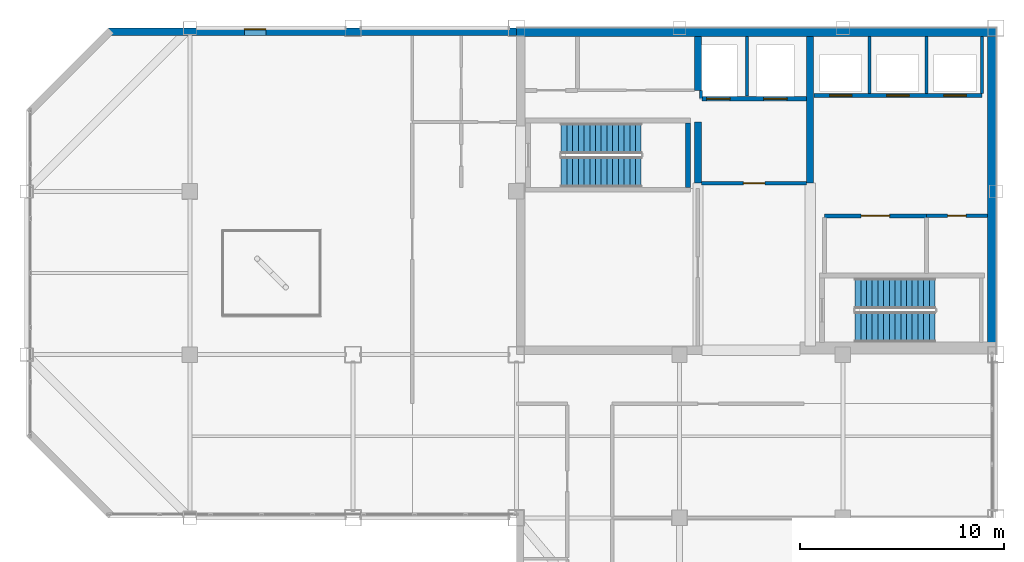
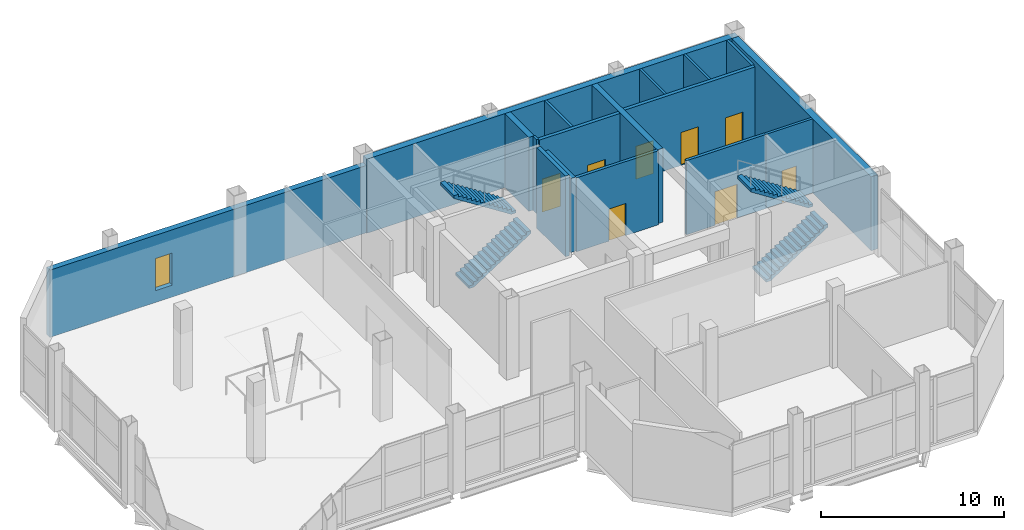
# One storey, part 13 of 16: 17 walls, 8 doors, 4 stair flights, 1 window, 9 openings, 2 elements without a shape of their own.
"""IFC4 building model written with IfcOpenShell, lengths in metres."""

import ifcopenshell
import ifcopenshell.guid

model = None  # the IFC model being written
_history = None  # IfcOwnerHistory: only IFC2X3 demands one
_inside = {}  # id of a spatial element -> (the spatial element, [elements in it])
_under = {}  # id of a project, library or spatial element -> (it, [spatial elements below it])
_declared = {}  # id of a project -> (the project, [libraries it declares])
_typed = {}  # id of a type object -> (the type object, [elements of that type])
_made_of = {}  # id of a material, layer set ... -> (it, [elements and type objects made of it])


def new_model(schema):
    """Start an empty IFC model of exactly this schema.

    Asked for "IFC4X3", IfcOpenShell would pick the latest addendum, in which some entities
    have other attributes; the version numbers below select the first issue.
    IFC2X3 requires an IfcOwnerHistory on every rooted entity: one is made here for all.
    """
    global model, _history
    if schema == "IFC4X3":
        model = ifcopenshell.file(schema_version=(4, 3, 0, 0))
    else:
        model = ifcopenshell.file(schema=schema)
    _inside.clear()
    _under.clear()
    _declared.clear()
    _typed.clear()
    _made_of.clear()
    _history = None
    if model.schema == "IFC2X3":
        org = make("IfcOrganization", Name="unknown")
        user = make(
            "IfcPersonAndOrganization",
            ThePerson=make("IfcPerson", FamilyName="unknown"),
            TheOrganization=org,
        )
        app = make(
            "IfcApplication",
            ApplicationDeveloper=org,
            Version="unknown",
            ApplicationFullName="unknown",
            ApplicationIdentifier="unknown",
        )
        _history = make(
            "IfcOwnerHistory",
            OwningUser=user,
            OwningApplication=app,
            ChangeAction="ADDED",
            CreationDate=0,
        )
    return model


def make(cls, **values):
    """One entity of the class cls with the attributes given. An attribute that is None is left unset."""
    return model.create_entity(
        cls, **{name: value for name, value in values.items() if value is not None}
    )


def rooted(cls, **values):
    """An entity with a GlobalId (a new one), such as an element, a storey or a relation."""
    return make(cls, GlobalId=ifcopenshell.guid.new(), OwnerHistory=_history, **values)


def si_unit(unit_type, name, prefix=None):
    """IfcSIUnit, for example si_unit("LENGTHUNIT", "METRE", prefix="MILLI")."""
    return make("IfcSIUnit", UnitType=unit_type, Prefix=prefix, Name=name)


def assignment(units):
    """IfcUnitAssignment: the units of a project."""
    return None if units is None else make("IfcUnitAssignment", Units=units)


def point(xyz):
    """IfcCartesianPoint."""
    return None if xyz is None else make("IfcCartesianPoint", Coordinates=xyz)


def direction(xyz):
    """IfcDirection."""
    return None if xyz is None else make("IfcDirection", DirectionRatios=xyz)


def frame(location, z_axis=None, x_axis=None):
    """IfcAxis2Placement3D, a coordinate frame: its origin and axes. An axis left out is left unset."""
    return make(
        "IfcAxis2Placement3D",
        Location=point(location),
        Axis=direction(z_axis),
        RefDirection=direction(x_axis),
    )


def frame_2d(location, x_axis=None):
    """IfcAxis2Placement2D, a coordinate frame in the plane: its origin and x axis."""
    return make(
        "IfcAxis2Placement2D", Location=point(location), RefDirection=direction(x_axis)
    )


def origin():
    """The frame at (0, 0, 0) with its axes left unset."""
    return frame((0.0, 0.0, 0.0))


def place(relative_to, where):
    """IfcLocalPlacement: puts the frame where relative to a parent placement (None: the world)."""
    return make(
        "IfcLocalPlacement", PlacementRelTo=relative_to, RelativePlacement=where
    )


def context(
    kind, dimensions, precision=None, world=None, true_north=None, identifier=None
):
    """IfcGeometricRepresentationContext, for example the 3D "Model" context."""
    return make(
        "IfcGeometricRepresentationContext",
        ContextIdentifier=identifier,
        ContextType=kind,
        CoordinateSpaceDimension=dimensions,
        Precision=precision,
        WorldCoordinateSystem=world,
        TrueNorth=true_north,
    )


def subcontext(parent, identifier, kind, view, scale=None):
    """IfcGeometricRepresentationSubContext, for example "Body" below "Model"."""
    return make(
        "IfcGeometricRepresentationSubContext",
        ContextIdentifier=identifier,
        ContextType=kind,
        ParentContext=parent,
        TargetScale=scale,
        TargetView=view,
    )


def project(units=None, contexts=None):
    """IfcProject with its units and contexts."""
    return rooted(
        "IfcProject",
        Name="project",
        RepresentationContexts=contexts,
        UnitsInContext=assignment(units),
    )


def spatial(cls, under=None, at=None, **own):
    """A site, building, storey or space (cls), placed at a placement, below another one or the project."""
    s = rooted(cls, ObjectPlacement=at, **own)
    if under is not None:
        _under.setdefault(under.id(), (under, []))[1].append(s)
    return s


def polyline(points):
    """IfcPolyline through the points."""
    return make("IfcPolyline", Points=[point(p) for p in points])


def profile(cls, at=None, kind="AREA", **sizes):
    """A parametric profile (cls). Its sizes go by their IFC names, for example OverallWidth=200.0."""
    return make(cls, ProfileType=kind, Position=at, **sizes)


def rectangle(**sizes):
    """IfcRectangleProfileDef."""
    return profile("IfcRectangleProfileDef", **sizes)


def outline(outer, holes=None, kind="AREA"):
    """IfcArbitraryClosedProfileDef: a profile drawn as a closed curve; with holes, ...WithVoids."""
    if holes is None:
        return make("IfcArbitraryClosedProfileDef", ProfileType=kind, OuterCurve=outer)
    return make(
        "IfcArbitraryProfileDefWithVoids",
        ProfileType=kind,
        OuterCurve=outer,
        InnerCurves=holes,
    )


def extrude(swept, where, along, depth):
    """IfcExtrudedAreaSolid: the profile swept, set in the frame where, extruded along a direction by depth."""
    return make(
        "IfcExtrudedAreaSolid",
        SweptArea=swept,
        Position=where,
        ExtrudedDirection=direction(along),
        Depth=depth,
    )


def shape(context_of_items, identifier, shape_type, items):
    """IfcShapeRepresentation: the items that make up one representation, for example the "Body"."""
    return make(
        "IfcShapeRepresentation",
        ContextOfItems=context_of_items,
        RepresentationIdentifier=identifier,
        RepresentationType=shape_type,
        Items=items,
    )


def material(Name=None, Category=None):
    """IfcMaterial."""
    return make("IfcMaterial", Name=Name, Category=Category)


def layer(
    of_material, thickness, ventilated=None, Name=None, Category=None, Priority=None
):
    """IfcMaterialLayer: one layer of a wall or slab, of a material (None: an air gap)."""
    return make(
        "IfcMaterialLayer",
        Material=of_material,
        LayerThickness=thickness,
        IsVentilated=ventilated,
        Name=Name,
        Category=Category,
        Priority=Priority,
    )


def layer_set(layers, Name=None):
    """IfcMaterialLayerSet."""
    return make("IfcMaterialLayerSet", MaterialLayers=layers, LayerSetName=Name)


def made_of(thing, what):
    """Note that an element or type object is made of a material, layer set ...; save() writes the relation."""
    if what is not None:
        _made_of.setdefault(what.id(), (what, []))[1].append(thing)
    return thing


def type_object(cls, material=None, **own):
    """A type object (cls), such as IfcWallType, which elements share."""
    return made_of(rooted(cls, **own), material)


def element(
    cls,
    number,
    at=None,
    inside=None,
    cuts=None,
    type_object=None,
    material=None,
    context=None,
    identifier="Body",
    shape_type=None,
    held_by="IfcProductDefinitionShape",
    body=None,
    shapes=None,
    **own,
):
    """One element of the class cls, such as IfcWall. Its Tag is "e" and its number.

    at: its placement. inside: the storey or other place that contains it. cuts: it is an
    opening in that element (IfcRelVoidsElement). A single representation is given by context,
    identifier, shape_type and body (its items); several are given by shapes. held_by: the class
    of the entity that holds the representations. save() writes the other relations.
    """
    e = rooted(cls, Tag="e%d" % number, ObjectPlacement=at, **own)
    if body is not None:
        shapes = [shape(context, identifier, shape_type, body)]
    if shapes is not None:
        e.Representation = make(held_by, Representations=shapes)
    if inside is not None:
        _inside.setdefault(inside.id(), (inside, []))[1].append(e)
    if cuts is not None:
        rooted(
            "IfcRelVoidsElement", RelatingBuildingElement=cuts, RelatedOpeningElement=e
        )
    if type_object is not None:
        _typed.setdefault(type_object.id(), (type_object, []))[1].append(e)
    return made_of(e, material)


def fill(opening, filler):
    """IfcRelFillsElement: the door or window that sits in an opening."""
    return rooted(
        "IfcRelFillsElement",
        RelatingOpeningElement=opening,
        RelatedBuildingElement=filler,
    )


def aggregate(whole, parts):
    """IfcRelAggregates: a whole, such as a stair, and the parts it consists of."""
    return rooted("IfcRelAggregates", RelatingObject=whole, RelatedObjects=parts)


def save(model, path):
    """Write the relations noted so far, then the file.

    IfcRelAggregates (storeys below a building ...), IfcRelContainedInSpatialStructure (elements
    in a storey), IfcRelDefinesByType, IfcRelAssociatesMaterial and IfcRelDeclares: one each for
    every whole, place, type object, material and project.
    """
    for whole, parts in _under.values():
        aggregate(whole, parts)
    for where, things in _inside.values():
        rooted(
            "IfcRelContainedInSpatialStructure",
            RelatedElements=things,
            RelatingStructure=where,
        )
    for kind, things in _typed.values():
        rooted("IfcRelDefinesByType", RelatedObjects=things, RelatingType=kind)
    for what, things in _made_of.values():
        rooted("IfcRelAssociatesMaterial", RelatedObjects=things, RelatingMaterial=what)
    for by, libraries in _declared.values():
        rooted("IfcRelDeclares", RelatingContext=by, RelatedDefinitions=libraries)
    model.write(path)


model = new_model("IFC4")

# Units and contexts
model_context = context("Model", 3, precision=1e-05, world=origin(), true_north=direction((0.0, 1.0)))
body_context = subcontext(model_context, "Body", "Model", "MODEL_VIEW")
ifc_project = project(units=[si_unit("LENGTHUNIT", "METRE"), si_unit("AREAUNIT", "SQUARE_METRE"), si_unit("VOLUMEUNIT", "CUBIC_METRE"), si_unit("PLANEANGLEUNIT", "RADIAN"), si_unit("MASSUNIT", "GRAM", prefix="KILO")], contexts=[model_context])

# Site, building, storey
site_placement = place(None, origin())
site = spatial("IfcSite", under=ifc_project, at=site_placement, CompositionType="ELEMENT")
building_placement = place(site_placement, origin())
building = spatial("IfcBuilding", under=site, at=building_placement, Name="Qianrong Seaharbour Tower", CompositionType="ELEMENT")
storey_placement = place(building_placement, frame((0.0, 0.0, 378.39990234375)))
storey = spatial("IfcBuildingStorey", under=building, at=storey_placement, Name="L91", CompositionType="ELEMENT", Elevation=378.39990234375)

# Walls
ifc_material_1 = material(Name="Concrete C50/60", Category="concrete")
ifc_layer_1 = layer(ifc_material_1, 0.419921875)
ifc_layer_set_1 = layer_set([ifc_layer_1], Name="Concrete C50/60")
wall_type_1 = type_object("IfcWallType", Name="WALL-CORE-420", PredefinedType="SHEAR", material=ifc_layer_set_1)
wall_1_placement = place(storey_placement, frame((40.5, 51.7900390625, 0.0), z_axis=(0.0, 0.0, 1.0), x_axis=(1.0, 0.0, 0.0)))
element("IfcWall", 1, at=wall_1_placement, inside=storey, type_object=wall_type_1, Name="L91 North Core Shear Wall", PredefinedType="SHEAR", context=body_context, shape_type="SweptSolid", body=[
    extrude(rectangle(XDim=23.5, YDim=0.419921875, at=frame_2d((11.75, 0.0))), origin(), (0.0, 0.0, 1.0), 4.9501953125),
])
wall_2_placement = place(storey_placement, frame((63.7900390625, 36.320068359375, 0.0), z_axis=(0.0, 0.0, 1.0), x_axis=(0.0, 1.0, 0.0)))
element("IfcWall", 2, at=wall_2_placement, inside=storey, type_object=wall_type_1, Name="L91 East Core Shear Wall", PredefinedType="SHEAR", context=body_context, shape_type="SweptSolid", body=[
    extrude(rectangle(XDim=15.260009765625, YDim=0.419921875, at=frame_2d((7.6298828125, 0.0))), origin(), (0.0, 0.0, 1.0), 4.9501953125),
])
ifc_layer_2 = layer(ifc_material_1, 0.35009765625)
ifc_layer_set_2 = layer_set([ifc_layer_2], Name="Concrete C50/60")
wall_type_2 = type_object("IfcWallType", Name="WALL-CORE-INT-350", PredefinedType="SHEAR", material=ifc_layer_set_2)
wall_3_placement = place(storey_placement, frame((49.39990234375, 44.39990234375, 0.0), z_axis=(0.0, 0.0, 1.0), x_axis=(0.0, 1.0, 0.0)))
element("IfcWall", 3, at=wall_3_placement, inside=storey, type_object=wall_type_2, Name="L91 Internal Core Shear Wall IW1N1", PredefinedType="SHEAR", context=body_context, shape_type="SweptSolid", body=[
    extrude(rectangle(XDim=3.0, YDim=0.35009765625, at=frame_2d((1.5, 0.0))), origin(), (0.0, 0.0, 1.0), 4.9501953125),
])
wall_4_placement = place(storey_placement, frame((49.39990234375, 48.949951171875, 0.0), z_axis=(0.0, 0.0, 1.0), x_axis=(0.0, 1.0, 0.0)))
element("IfcWall", 4, at=wall_4_placement, inside=storey, type_object=wall_type_2, Name="L91 Internal Core Shear Wall IW1N2", PredefinedType="SHEAR", context=body_context, shape_type="SweptSolid", body=[
    extrude(rectangle(XDim=2.630126953125, YDim=0.35009765625, at=frame_2d((1.31494140625, 0.0))), origin(), (0.0, 0.0, 1.0), 4.9501953125),
])
wall_5_placement = place(storey_placement, frame((54.89990234375, 44.39990234375, 0.0), z_axis=(0.0, 0.0, 1.0), x_axis=(0.0, 1.0, 0.0)))
element("IfcWall", 5, at=wall_5_placement, inside=storey, type_object=wall_type_2, Name="L91 Internal Core Shear Wall IW2N", PredefinedType="SHEAR", context=body_context, shape_type="SweptSolid", body=[
    extrude(rectangle(XDim=7.18017578125, YDim=0.35009765625, at=frame_2d((3.590087890625, 0.0))), origin(), (0.0, 0.0, 1.0), 4.9501953125),
])

# Wall, opening, door
ifc_material_2 = material(Name="Fire-rated acoustic gypsum board partition")
ifc_layer_3 = layer(ifc_material_2, 0.1650390625)
ifc_layer_set_3 = layer_set([ifc_layer_3], Name="Fire-rated acoustic gypsum board partition")
wall_type_3 = type_object("IfcWallType", Name="WALL-CORR-PART-165", PredefinedType="PARTITIONING", material=ifc_layer_set_3)
wall_6_placement = place(storey_placement, frame((63.580078125, 42.800048828125, 0.0), z_axis=(0.0, 0.0, 1.0), x_axis=(-1.0, 0.0, 0.0)))
wall_6 = element("IfcWall", 6, at=wall_6_placement, inside=storey, type_object=wall_type_3, Name="L91 Interior Partition Wall 012", PredefinedType="PARTITIONING", context=body_context, shape_type="SweptSolid", body=[
    extrude(rectangle(XDim=2.97998046875, YDim=0.1650390625, at=frame_2d((1.489990234375, 0.0))), origin(), (0.0, 0.0, 1.0), 4.9501953125),
])
opening_1_placement = place(wall_6_placement, frame((1.0400390625, 0.0, 0.0)))
opening_1 = element("IfcOpeningElement", 7, at=opening_1_placement, cuts=wall_6, Name="Opening DS-01", PredefinedType="OPENING", context=body_context, shape_type="SweptSolid", body=[
    extrude(rectangle(XDim=0.89990234375, YDim=2.14990234375, at=frame_2d((0.449951171875, 1.074951171875))), frame((0.0, 0.092529296875, 0.0), z_axis=(0.0, -1.0, 0.0), x_axis=(1.0, 0.0, 0.0)), (0.0, 0.0, 1.0), 0.18505859375),
])
ifc_material_3 = material(Name="Acoustic timber and galvanized steel fire door assembly", Category="steel")
door_type_1 = type_object("IfcDoorType", Name="DOOR-STORE-900x2150", OperationType="NOTDEFINED", PredefinedType="DOOR", material=ifc_material_3)
door_1_placement = place(opening_1_placement, origin())
door_1 = element("IfcDoor", 8, at=door_1_placement, inside=storey, type_object=door_type_1, Name="L91 Housekeeping Linen Store Door", OperationType="SINGLE_SWING_LEFT", OverallHeight=2.14990234375, OverallWidth=0.89990234375, PredefinedType="DOOR", context=body_context, shape_type="SweptSolid", body=[
    extrude(rectangle(XDim=0.89990234375, YDim=2.14990234375, at=frame_2d((0.449951171875, 1.074951171875))), frame((0.0, 0.02490234375, 0.0), z_axis=(0.0, -1.0, 0.0), x_axis=(1.0, 0.0, 0.0)), (0.0, 0.0, 1.0), 0.050048828125),
])
fill(opening_1, door_1)

# Wall, opening, window
ifc_material_4 = material(Name="Unitised red brick on Precast concrete C45/55", Category="masonry")
ifc_layer_4 = layer(ifc_material_4, 0.360107421875)
ifc_layer_set_4 = layer_set([ifc_layer_4], Name="Unitised red brick on Precast concrete C45/55")
wall_type_4 = type_object("IfcWallType", Name="WALL-EXT-BRICK-RED-360", PredefinedType="SOLIDWALL", material=ifc_layer_set_4)
wall_7_placement = place(storey_placement, frame((20.5, 51.820068359375, 0.0), z_axis=(0.0, 0.0, 1.0), x_axis=(1.0, 0.0, 0.0)))
wall_7 = element("IfcWall", 9, at=wall_7_placement, inside=storey, type_object=wall_type_4, Name="L91 Exterior Masonry Facade Wall NORTH_WING", PredefinedType="SOLIDWALL", context=body_context, shape_type="SweptSolid", body=[
    extrude(rectangle(XDim=20.02001953125, YDim=0.360107421875, at=frame_2d((10.010009765625, 0.0))), origin(), (0.0, 0.0, 1.0), 4.5),
])
opening_2_placement = place(wall_7_placement, frame((6.675048828125, 0.0, 0.800048828125)))
opening_2 = element("IfcOpeningElement", 10, at=opening_2_placement, cuts=wall_7, Name="Opening WN-14", PredefinedType="OPENING", context=body_context, shape_type="SweptSolid", body=[
    extrude(rectangle(XDim=1.050048828125, YDim=2.14990234375, at=frame_2d((0.52490234375, 1.074951171875))), frame((0.0, 0.18994140625, 0.0), z_axis=(0.0, -1.0, 0.0), x_axis=(1.0, 0.0, 0.0)), (0.0, 0.0, 1.0), 0.380126953125),
])
ifc_material_5 = material(Name="Insulated low-e double glazing in thermally broken aluminium 6063-T6 frame", Category="aluminium")
window_type = type_object("IfcWindowType", Name="WIN-NARROW-1050x2150", PartitioningType="SINGLE_PANEL", PredefinedType="WINDOW", material=ifc_material_5)
window_placement = place(opening_2_placement, origin())
window = element("IfcWindow", 11, at=window_placement, inside=storey, type_object=window_type, Name="L91 Deep-Set Punched Window 05.02", OverallHeight=2.14990234375, OverallWidth=1.050048828125, PartitioningType="SINGLE_PANEL", PredefinedType="WINDOW", context=body_context, shape_type="SweptSolid", body=[
    extrude(rectangle(XDim=1.050048828125, YDim=2.14990234375, at=frame_2d((0.52490234375, 1.074951171875))), frame((0.0, 0.150146484375, 0.0), z_axis=(0.0, -1.0, 0.0), x_axis=(1.0, 0.0, 0.0)), (0.0, 0.0, 1.0), 0.06005859375),
])
fill(opening_2, window)

# Wall, opening, door
ifc_material_6 = material(Name="Double fire-rated gypsum board acoustic partition")
ifc_layer_5 = layer(ifc_material_6, 0.18994140625)
ifc_layer_set_5 = layer_set([ifc_layer_5], Name="Double fire-rated gypsum board acoustic partition")
wall_type_5 = type_object("IfcWallType", Name="WALL-FIRE-PART-190", PredefinedType="PARTITIONING", material=ifc_layer_set_5)
wall_8_placement = place(storey_placement, frame((54.73291015625, 44.39990234375, 0.0), z_axis=(0.0, 0.0, 1.0), x_axis=(-1.0, 0.0, 0.0)))
wall_8 = element("IfcWall", 12, at=wall_8_placement, inside=storey, type_object=wall_type_5, Name="L91 Interior Partition Wall 008", PredefinedType="PARTITIONING", context=body_context, shape_type="SweptSolid", body=[
    extrude(rectangle(XDim=5.166015625, YDim=0.18994140625, at=frame_2d((2.5830078125, 0.0))), origin(), (0.0, 0.0, 1.0), 4.9501953125),
])
opening_3_placement = place(wall_8_placement, frame((2.05810546875, 0.0, 0.0)))
opening_3 = element("IfcOpeningElement", 13, at=opening_3_placement, cuts=wall_8, Name="Opening DC-01", PredefinedType="OPENING", context=body_context, shape_type="SweptSolid", body=[
    extrude(rectangle(XDim=1.050048828125, YDim=2.14990234375, at=frame_2d((0.52490234375, 1.074951171875))), frame((0.0, 0.10498046875, 0.0), z_axis=(0.0, -1.0, 0.0), x_axis=(1.0, 0.0, 0.0)), (0.0, 0.0, 1.0), 0.2099609375),
])
door_type_2 = type_object("IfcDoorType", Name="DOOR-CORR-FD60-1050x2150", OperationType="NOTDEFINED", PredefinedType="DOOR", material=ifc_material_3)
door_2_placement = place(opening_3_placement, origin())
door_2 = element("IfcDoor", 14, at=door_2_placement, inside=storey, type_object=door_type_2, Name="L91 Firefighting Lift Lobby Door", OperationType="SINGLE_SWING_RIGHT", OverallHeight=2.14990234375, OverallWidth=1.050048828125, PredefinedType="DOOR", context=body_context, shape_type="SweptSolid", body=[
    extrude(rectangle(XDim=1.050048828125, YDim=2.14990234375, at=frame_2d((0.52490234375, 1.074951171875))), frame((0.0, 0.02490234375, 0.0), z_axis=(0.0, -1.0, 0.0), x_axis=(1.0, 0.0, 0.0)), (0.0, 0.0, 1.0), 0.050048828125),
])
fill(opening_3, door_2)

wall_9_placement = place(storey_placement, frame((60.60009765625, 42.800048828125, 0.0), z_axis=(0.0, 0.0, 1.0), x_axis=(-1.0, 0.0, 0.0)))
wall_9 = element("IfcWall", 15, at=wall_9_placement, inside=storey, type_object=wall_type_5, Name="L91 Interior Partition Wall 011", PredefinedType="PARTITIONING", context=body_context, shape_type="SweptSolid", body=[
    extrude(rectangle(XDim=5.0, YDim=0.18994140625, at=frame_2d((2.5, 0.0))), origin(), (0.0, 0.0, 1.0), 4.9501953125),
])
opening_4_placement = place(wall_9_placement, frame((1.800048828125, 0.0, 0.0)))
opening_4 = element("IfcOpeningElement", 16, at=opening_4_placement, cuts=wall_9, Name="Opening DP-01", PredefinedType="OPENING", context=body_context, shape_type="SweptSolid", body=[
    extrude(rectangle(XDim=1.39990234375, YDim=2.25, at=frame_2d((0.699951171875, 1.125))), frame((0.0, 0.10498046875, 0.0), z_axis=(0.0, -1.0, 0.0), x_axis=(1.0, 0.0, 0.0)), (0.0, 0.0, 1.0), 0.2099609375),
])
door_type_3 = type_object("IfcDoorType", Name="DOOR-PLANT-PAIR-1400x2250", OperationType="DOUBLE_DOOR_SINGLE_SWING", PredefinedType="DOOR", material=ifc_material_3)
door_3_placement = place(opening_4_placement, origin())
door_3 = element("IfcDoor", 17, at=door_3_placement, inside=storey, type_object=door_type_3, Name="L91 Submetering Switch Room Door", OperationType="DOUBLE_DOOR_SINGLE_SWING", OverallHeight=2.25, OverallWidth=1.39990234375, PredefinedType="DOOR", context=body_context, shape_type="SweptSolid", body=[
    extrude(rectangle(XDim=1.39990234375, YDim=2.25, at=frame_2d((0.699951171875, 1.125))), frame((0.0, 0.02490234375, 0.0), z_axis=(0.0, -1.0, 0.0), x_axis=(1.0, 0.0, 0.0)), (0.0, 0.0, 1.0), 0.050048828125),
])
fill(opening_4, door_3)

# Walls
ifc_material_7 = material(Name="Fire-rated gypsum board on steel studs", Category="steel")
ifc_layer_6 = layer(ifc_material_7, 0.14990234375)
ifc_layer_set_6 = layer_set([ifc_layer_6], Name="Fire-rated gypsum board on steel studs")
wall_type_6 = type_object("IfcWallType", Name="WALL-SHAFT-DIV-150", PredefinedType="PARTITIONING", material=ifc_layer_set_6)
wall_10_placement = place(storey_placement, frame((51.800048828125, 48.669921875, 0.0), z_axis=(0.0, 0.0, 1.0), x_axis=(0.0, 1.0, 0.0)))
element("IfcWall", 18, at=wall_10_placement, inside=storey, type_object=wall_type_6, Name="L91 Firefighting Lift Shaft Divider Wall", PredefinedType="PARTITIONING", context=body_context, shape_type="SweptSolid", body=[
    extrude(rectangle(XDim=2.91015625, YDim=0.14990234375, at=frame_2d((1.455078125, 0.0))), origin(), (0.0, 0.0, 1.0), 4.9501953125),
])
wall_11_placement = place(storey_placement, frame((49.550048828125, 48.550048828125, 0.0), z_axis=(0.0, 0.0, 1.0), x_axis=(0.0, 1.0, 0.0)))
element("IfcWall", 19, at=wall_11_placement, inside=storey, type_object=wall_type_6, Name="L91 Firefighting Lift Shaft West Return Wall", PredefinedType="PARTITIONING", context=body_context, shape_type="SweptSolid", body=[
    extrude(rectangle(XDim=0.39990234375, YDim=0.14990234375, at=frame_2d((0.199951171875, 0.0))), origin(), (0.0, 0.0, 1.0), 4.9501953125),
])
for number, where, z_axis, x_axis, name in (
    (20, (57.800048828125, 48.81005859375, 0.0), (0.0, 0.0, 1.0), (0.0, 1.0, 0.0), "L91 P4 Lift Hoistway Divider 2"),
    (21, (60.60009765625, 48.81005859375, 0.0), (0.0, 0.0, 1.0), (0.0, 1.0, 0.0), "L91 P4 Lift Hoistway Divider 3"),
    (22, (63.320068359375, 48.81005859375, 0.0), (0.0, 0.0, 1.0), (0.0, 1.0, 0.0), "L91 P4 Lift Hoistway Divider 4"),
):
    element("IfcWall", number, at=place(storey_placement, frame(where, z_axis=z_axis, x_axis=x_axis)), inside=storey, type_object=wall_type_6, Name=name, PredefinedType="PARTITIONING", context=body_context, shape_type="SweptSolid", body=[
        extrude(rectangle(XDim=2.77001953125, YDim=0.14990234375, at=frame_2d((1.385009765625, 0.0))), origin(), (0.0, 0.0, 1.0), 4.9501953125),
    ])

# Wall, openings, doors
ifc_layer_7 = layer(ifc_material_7, 0.219970703125)
ifc_layer_set_7 = layer_set([ifc_layer_7], Name="Fire-rated gypsum board on steel studs")
wall_type_7 = type_object("IfcWallType", Name="WALL-SHAFT-GYP220", PredefinedType="PARTITIONING", material=ifc_layer_set_7)
wall_12_placement = place(storey_placement, frame((54.7099609375, 48.550048828125, 0.0), z_axis=(0.0, 0.0, 1.0), x_axis=(-1.0, 0.0, 0.0)))
wall_12 = element("IfcWall", 23, at=wall_12_placement, inside=storey, type_object=wall_type_7, Name="L91 Firefighting Lift Shaft Front Wall", PredefinedType="PARTITIONING", context=body_context, shape_type="SweptSolid", body=[
    extrude(rectangle(XDim=5.119873046875, YDim=0.219970703125, at=frame_2d((2.56005859375, 0.0))), origin(), (0.0, 0.0, 1.0), 4.9501953125),
])
opening_5_placement = place(wall_12_placement, frame((3.735107421875, 0.0, 0.0)))
opening_5 = element("IfcOpeningElement", 24, at=opening_5_placement, cuts=wall_12, Name="Opening LD-01", PredefinedType="OPENING", context=body_context, shape_type="SweptSolid", body=[
    extrude(rectangle(XDim=1.14990234375, YDim=2.199951171875, at=frame_2d((0.574951171875, 1.10009765625))), frame((0.0, 0.1201171875, 0.0), z_axis=(0.0, -1.0, 0.0), x_axis=(1.0, 0.0, 0.0)), (0.0, 0.0, 1.0), 0.239990234375),
])
opening_6_placement = place(wall_12_placement, frame((0.93505859375, 0.0, 0.0)))
opening_6 = element("IfcOpeningElement", 25, at=opening_6_placement, cuts=wall_12, Name="Opening LD-01", PredefinedType="OPENING", context=body_context, shape_type="SweptSolid", body=[
    extrude(rectangle(XDim=1.14990234375, YDim=2.199951171875, at=frame_2d((0.574951171875, 1.10009765625))), frame((0.0, 0.1201171875, 0.0), z_axis=(0.0, -1.0, 0.0), x_axis=(1.0, 0.0, 0.0)), (0.0, 0.0, 1.0), 0.239990234375),
])
ifc_material_8 = material(Name="Stainless steel SUS316L bi-parting lift landing door", Category="steel")
door_type_4 = type_object("IfcDoorType", Name="DOOR-LIFT-FF-1150x2200", OperationType="DOUBLE_DOOR_SLIDING", PredefinedType="DOOR", material=ifc_material_8)
door_4_placement = place(opening_5_placement, origin())
door_4 = element("IfcDoor", 26, at=door_4_placement, inside=storey, type_object=door_type_4, Name="L91 FL-1 Firefighting Lift Landing Door", OperationType="DOUBLE_DOOR_SLIDING", OverallHeight=2.199951171875, OverallWidth=1.14990234375, PredefinedType="DOOR", context=body_context, shape_type="SweptSolid", body=[
    extrude(rectangle(XDim=1.14990234375, YDim=2.199951171875, at=frame_2d((0.574951171875, 1.10009765625))), frame((0.0, 0.02490234375, 0.0), z_axis=(0.0, -1.0, 0.0), x_axis=(1.0, 0.0, 0.0)), (0.0, 0.0, 1.0), 0.050048828125),
])
fill(opening_5, door_4)
door_5_placement = place(opening_6_placement, origin())
door_5 = element("IfcDoor", 27, at=door_5_placement, inside=storey, type_object=door_type_4, Name="L91 FL-2 Firefighting Lift Landing Door", OperationType="DOUBLE_DOOR_SLIDING", OverallHeight=2.199951171875, OverallWidth=1.14990234375, PredefinedType="DOOR", context=body_context, shape_type="SweptSolid", body=[
    extrude(rectangle(XDim=1.14990234375, YDim=2.199951171875, at=frame_2d((0.574951171875, 1.10009765625))), frame((0.0, 0.02490234375, 0.0), z_axis=(0.0, -1.0, 0.0), x_axis=(1.0, 0.0, 0.0)), (0.0, 0.0, 1.0), 0.050048828125),
])
fill(opening_6, door_5)

wall_13_placement = place(storey_placement, frame((63.320068359375, 48.699951171875, 0.0), z_axis=(0.0, 0.0, 1.0), x_axis=(-1.0, 0.0, 0.0)))
wall_13 = element("IfcWall", 28, at=wall_13_placement, inside=storey, type_object=wall_type_7, Name="L91 P4 Lift Hoistway Front Wall", PredefinedType="PARTITIONING", context=body_context, shape_type="SweptSolid", body=[
    extrude(rectangle(XDim=8.239990234375, YDim=0.219970703125, at=frame_2d((4.1201171875, 0.0))), origin(), (0.0, 0.0, 1.0), 4.9501953125),
])
opening_7_placement = place(wall_13_placement, frame((6.3701171875, 0.0, 0.0)))
opening_7 = element("IfcOpeningElement", 29, at=opening_7_placement, cuts=wall_13, Name="Opening LD-02", PredefinedType="OPENING", context=body_context, shape_type="SweptSolid", body=[
    extrude(rectangle(XDim=1.10009765625, YDim=2.199951171875, at=frame_2d((0.550048828125, 1.10009765625))), frame((0.0, 0.1201171875, 0.0), z_axis=(0.0, -1.0, 0.0), x_axis=(1.0, 0.0, 0.0)), (0.0, 0.0, 1.0), 0.239990234375),
])
opening_8_placement = place(wall_13_placement, frame((3.570068359375, 0.0, 0.0)))
opening_8 = element("IfcOpeningElement", 30, at=opening_8_placement, cuts=wall_13, Name="Opening LD-02", PredefinedType="OPENING", context=body_context, shape_type="SweptSolid", body=[
    extrude(rectangle(XDim=1.10009765625, YDim=2.199951171875, at=frame_2d((0.550048828125, 1.10009765625))), frame((0.0, 0.1201171875, 0.0), z_axis=(0.0, -1.0, 0.0), x_axis=(1.0, 0.0, 0.0)), (0.0, 0.0, 1.0), 0.239990234375),
])
opening_9_placement = place(wall_13_placement, frame((0.77001953125, 0.0, 0.0)))
opening_9 = element("IfcOpeningElement", 31, at=opening_9_placement, cuts=wall_13, Name="Opening LD-02", PredefinedType="OPENING", context=body_context, shape_type="SweptSolid", body=[
    extrude(rectangle(XDim=1.10009765625, YDim=2.199951171875, at=frame_2d((0.550048828125, 1.10009765625))), frame((0.0, 0.1201171875, 0.0), z_axis=(0.0, -1.0, 0.0), x_axis=(1.0, 0.0, 0.0)), (0.0, 0.0, 1.0), 0.239990234375),
])
door_type_5 = type_object("IfcDoorType", Name="DOOR-LIFT-PASS-1100x2200", OperationType="DOUBLE_DOOR_SLIDING", PredefinedType="DOOR", material=ifc_material_8)
door_6_placement = place(opening_7_placement, origin())
door_6 = element("IfcDoor", 32, at=door_6_placement, inside=storey, type_object=door_type_5, Name="L91 PL-4A Lift Landing Door", OperationType="DOUBLE_DOOR_SLIDING", OverallHeight=2.199951171875, OverallWidth=1.10009765625, PredefinedType="DOOR", context=body_context, shape_type="SweptSolid", body=[
    extrude(rectangle(XDim=1.10009765625, YDim=2.199951171875, at=frame_2d((0.550048828125, 1.10009765625))), frame((0.0, 0.02490234375, 0.0), z_axis=(0.0, -1.0, 0.0), x_axis=(1.0, 0.0, 0.0)), (0.0, 0.0, 1.0), 0.050048828125),
])
fill(opening_7, door_6)
door_7_placement = place(opening_8_placement, origin())
door_7 = element("IfcDoor", 33, at=door_7_placement, inside=storey, type_object=door_type_5, Name="L91 PL-4B Lift Landing Door", OperationType="DOUBLE_DOOR_SLIDING", OverallHeight=2.199951171875, OverallWidth=1.10009765625, PredefinedType="DOOR", context=body_context, shape_type="SweptSolid", body=[
    extrude(rectangle(XDim=1.10009765625, YDim=2.199951171875, at=frame_2d((0.550048828125, 1.10009765625))), frame((0.0, 0.02490234375, 0.0), z_axis=(0.0, -1.0, 0.0), x_axis=(1.0, 0.0, 0.0)), (0.0, 0.0, 1.0), 0.050048828125),
])
fill(opening_8, door_7)
door_8_placement = place(opening_9_placement, origin())
door_8 = element("IfcDoor", 34, at=door_8_placement, inside=storey, type_object=door_type_5, Name="L91 PL-4C Lift Landing Door", OperationType="DOUBLE_DOOR_SLIDING", OverallHeight=2.199951171875, OverallWidth=1.10009765625, PredefinedType="DOOR", context=body_context, shape_type="SweptSolid", body=[
    extrude(rectangle(XDim=1.10009765625, YDim=2.199951171875, at=frame_2d((0.550048828125, 1.10009765625))), frame((0.0, 0.02490234375, 0.0), z_axis=(0.0, -1.0, 0.0), x_axis=(1.0, 0.0, 0.0)), (0.0, 0.0, 1.0), 0.050048828125),
])
fill(opening_9, door_8)

# Wall
ifc_layer_8 = layer(ifc_material_1, 0.239990234375)
ifc_layer_set_8 = layer_set([ifc_layer_8], Name="Concrete C50/60")
wall_type_8 = type_object("IfcWallType", Name="WALL-SHAFT-RC240", PredefinedType="SOLIDWALL", material=ifc_layer_set_8)
wall_14_placement = place(storey_placement, frame((48.919921875, 44.199951171875, 0.0), z_axis=(0.0, 0.0, 1.0), x_axis=(0.0, 1.0, 0.0)))
element("IfcWall", 35, at=wall_14_placement, inside=storey, type_object=wall_type_8, Name="L91 ST-1 Structural Stair Core Wall E", PredefinedType="SOLIDWALL", context=body_context, shape_type="SweptSolid", body=[
    extrude(rectangle(XDim=3.150146484375, YDim=0.239990234375, at=frame_2d((1.5751953125, 0.0))), origin(), (0.0, 0.0, 1.0), 5.400146484375),
])

# Stair, stair flights
stair_type = type_object("IfcStairType", Name="STAIR-DOGLEG-1500-R30", PredefinedType="HALF_TURN_STAIR", material=ifc_material_1)
stair_1_placement = place(storey_placement, origin())
stair_1 = element("IfcStair", 36, at=stair_1_placement, inside=storey, type_object=stair_type, Name="L91 Protected Escape Stair ST-1", PredefinedType="HALF_TURN_STAIR")
stair_flight_type = type_object("IfcStairFlightType", Name="FLIGHT-STR-1500-R30", PredefinedType="STRAIGHT", material=ifc_material_1)
stair_flight_1_placement = place(storey_placement, frame((42.699951171875, 44.949951171875, 0.0), z_axis=(0.0, 0.0, 1.0), x_axis=(1.0, 0.0, 0.0)))
stair_flight_1 = element("IfcStairFlight", 37, at=stair_flight_1_placement, type_object=stair_flight_type, Name="ST-1 flight 1", NumberOfRisers=15, NumberOfTreads=14, PredefinedType="STRAIGHT", RiserHeight=0.18, TreadLength=0.28, context=body_context, shape_type="SweptSolid", body=[
    extrude(outline(polyline([(0.0, 0.0), (0.0, 0.179931640625), (0.280029296875, 0.179931640625), (0.280029296875, 0.360107421875), (0.56005859375, 0.360107421875), (0.56005859375, 0.5400390625), (0.840087890625, 0.5400390625), (0.840087890625, 0.719970703125), (1.1201171875, 0.719970703125), (1.1201171875, 0.89990234375), (1.39990234375, 0.89990234375), (1.39990234375, 1.080078125), (1.679931640625, 1.080078125), (1.679931640625, 1.260009765625), (1.9599609375, 1.260009765625), (1.9599609375, 1.43994140625), (2.239990234375, 1.43994140625), (2.239990234375, 1.6201171875), (2.52001953125, 1.6201171875), (2.52001953125, 1.800048828125), (2.800048828125, 1.800048828125), (2.800048828125, 1.97998046875), (3.080078125, 1.97998046875), (3.080078125, 2.159912109375), (3.360107421875, 2.159912109375), (3.360107421875, 2.340087890625), (3.639892578125, 2.340087890625), (3.639892578125, 2.52001953125), (3.919921875, 2.52001953125), (3.919921875, 2.699951171875), (3.919921875, 2.329833984375), (0.295654296875, 0.0), (0.0, 0.0)])), frame((0.0, 0.75, 0.0), z_axis=(0.0, -1.0, 0.0), x_axis=(1.0, 0.0, 0.0)), (0.0, 0.0, 1.0), 1.5),
])
stair_flight_2_placement = place(storey_placement, frame((46.6201171875, 46.60009765625, 2.7001953125), z_axis=(0.0, 0.0, 1.0), x_axis=(-1.0, 0.0, 0.0)))
stair_flight_2 = element("IfcStairFlight", 38, at=stair_flight_2_placement, type_object=stair_flight_type, Name="ST-1 flight 2", NumberOfRisers=15, NumberOfTreads=14, PredefinedType="STRAIGHT", RiserHeight=0.18, TreadLength=0.28, context=body_context, shape_type="SweptSolid", body=[
    extrude(outline(polyline([(0.0, 0.0), (0.0, 0.179931640625), (0.280029296875, 0.179931640625), (0.280029296875, 0.360107421875), (0.56005859375, 0.360107421875), (0.56005859375, 0.5400390625), (0.840087890625, 0.5400390625), (0.840087890625, 0.719970703125), (1.1201171875, 0.719970703125), (1.1201171875, 0.89990234375), (1.39990234375, 0.89990234375), (1.39990234375, 1.080078125), (1.679931640625, 1.080078125), (1.679931640625, 1.260009765625), (1.9599609375, 1.260009765625), (1.9599609375, 1.43994140625), (2.239990234375, 1.43994140625), (2.239990234375, 1.6201171875), (2.52001953125, 1.6201171875), (2.52001953125, 1.800048828125), (2.800048828125, 1.800048828125), (2.800048828125, 1.97998046875), (3.080078125, 1.97998046875), (3.080078125, 2.159912109375), (3.360107421875, 2.159912109375), (3.360107421875, 2.340087890625), (3.639892578125, 2.340087890625), (3.639892578125, 2.52001953125), (3.919921875, 2.52001953125), (3.919921875, 2.699951171875), (3.919921875, 2.329833984375), (0.295654296875, 0.0), (0.0, 0.0)])), frame((0.0, 0.75, 0.0), z_axis=(0.0, -1.0, 0.0), x_axis=(1.0, 0.0, 0.0)), (0.0, 0.0, 1.0), 1.5),
])
aggregate(stair_1, [stair_flight_1, stair_flight_2])

stair_2_placement = place(storey_placement, origin())
stair_2 = element("IfcStair", 39, at=stair_2_placement, inside=storey, type_object=stair_type, Name="L91 Protected Escape Stair ST-2", PredefinedType="HALF_TURN_STAIR")
stair_flight_3_placement = place(storey_placement, frame((57.10009765625, 37.35009765625, 0.0), z_axis=(0.0, 0.0, 1.0), x_axis=(1.0, 0.0, 0.0)))
stair_flight_3 = element("IfcStairFlight", 40, at=stair_flight_3_placement, type_object=stair_flight_type, Name="ST-2 flight 1", NumberOfRisers=15, NumberOfTreads=14, PredefinedType="STRAIGHT", RiserHeight=0.18, TreadLength=0.28, context=body_context, shape_type="SweptSolid", body=[
    extrude(outline(polyline([(0.0, 0.0), (0.0, 0.179931640625), (0.280029296875, 0.179931640625), (0.280029296875, 0.360107421875), (0.56005859375, 0.360107421875), (0.56005859375, 0.5400390625), (0.840087890625, 0.5400390625), (0.840087890625, 0.719970703125), (1.1201171875, 0.719970703125), (1.1201171875, 0.89990234375), (1.39990234375, 0.89990234375), (1.39990234375, 1.080078125), (1.679931640625, 1.080078125), (1.679931640625, 1.260009765625), (1.9599609375, 1.260009765625), (1.9599609375, 1.43994140625), (2.239990234375, 1.43994140625), (2.239990234375, 1.6201171875), (2.52001953125, 1.6201171875), (2.52001953125, 1.800048828125), (2.800048828125, 1.800048828125), (2.800048828125, 1.97998046875), (3.080078125, 1.97998046875), (3.080078125, 2.159912109375), (3.360107421875, 2.159912109375), (3.360107421875, 2.340087890625), (3.639892578125, 2.340087890625), (3.639892578125, 2.52001953125), (3.919921875, 2.52001953125), (3.919921875, 2.699951171875), (3.919921875, 2.329833984375), (0.295654296875, 0.0), (0.0, 0.0)])), frame((0.0, 0.75, 0.0), z_axis=(0.0, -1.0, 0.0), x_axis=(1.0, 0.0, 0.0)), (0.0, 0.0, 1.0), 1.5),
])
stair_flight_4_placement = place(storey_placement, frame((61.02001953125, 39.0, 2.7001953125), z_axis=(0.0, 0.0, 1.0), x_axis=(-1.0, 0.0, 0.0)))
stair_flight_4 = element("IfcStairFlight", 41, at=stair_flight_4_placement, type_object=stair_flight_type, Name="ST-2 flight 2", NumberOfRisers=15, NumberOfTreads=14, PredefinedType="STRAIGHT", RiserHeight=0.18, TreadLength=0.28, context=body_context, shape_type="SweptSolid", body=[
    extrude(outline(polyline([(0.0, 0.0), (0.0, 0.179931640625), (0.280029296875, 0.179931640625), (0.280029296875, 0.360107421875), (0.56005859375, 0.360107421875), (0.56005859375, 0.5400390625), (0.840087890625, 0.5400390625), (0.840087890625, 0.719970703125), (1.1201171875, 0.719970703125), (1.1201171875, 0.89990234375), (1.39990234375, 0.89990234375), (1.39990234375, 1.080078125), (1.679931640625, 1.080078125), (1.679931640625, 1.260009765625), (1.9599609375, 1.260009765625), (1.9599609375, 1.43994140625), (2.239990234375, 1.43994140625), (2.239990234375, 1.6201171875), (2.52001953125, 1.6201171875), (2.52001953125, 1.800048828125), (2.800048828125, 1.800048828125), (2.800048828125, 1.97998046875), (3.080078125, 1.97998046875), (3.080078125, 2.159912109375), (3.360107421875, 2.159912109375), (3.360107421875, 2.340087890625), (3.639892578125, 2.340087890625), (3.639892578125, 2.52001953125), (3.919921875, 2.52001953125), (3.919921875, 2.699951171875), (3.919921875, 2.329833984375), (0.295654296875, 0.0), (0.0, 0.0)])), frame((0.0, 0.75, 0.0), z_axis=(0.0, -1.0, 0.0), x_axis=(1.0, 0.0, 0.0)), (0.0, 0.0, 1.0), 1.5),
])
aggregate(stair_2, [stair_flight_3, stair_flight_4])

save(model, "model.ifc")
